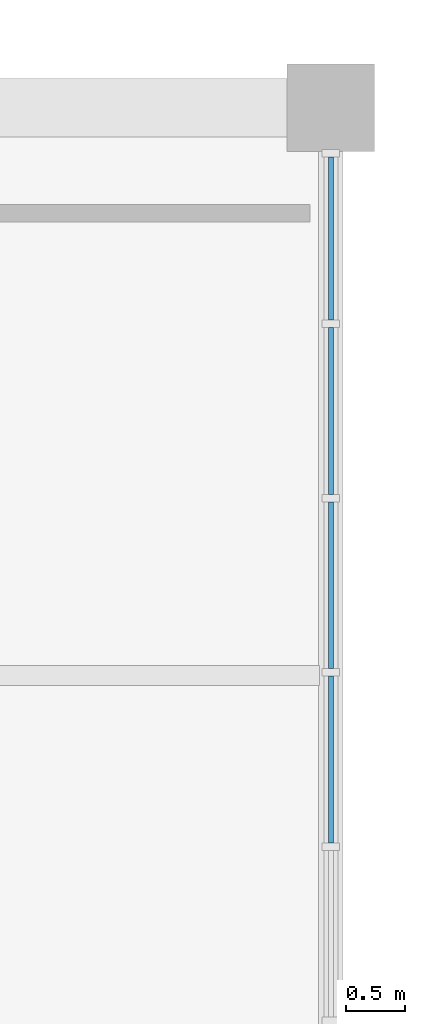
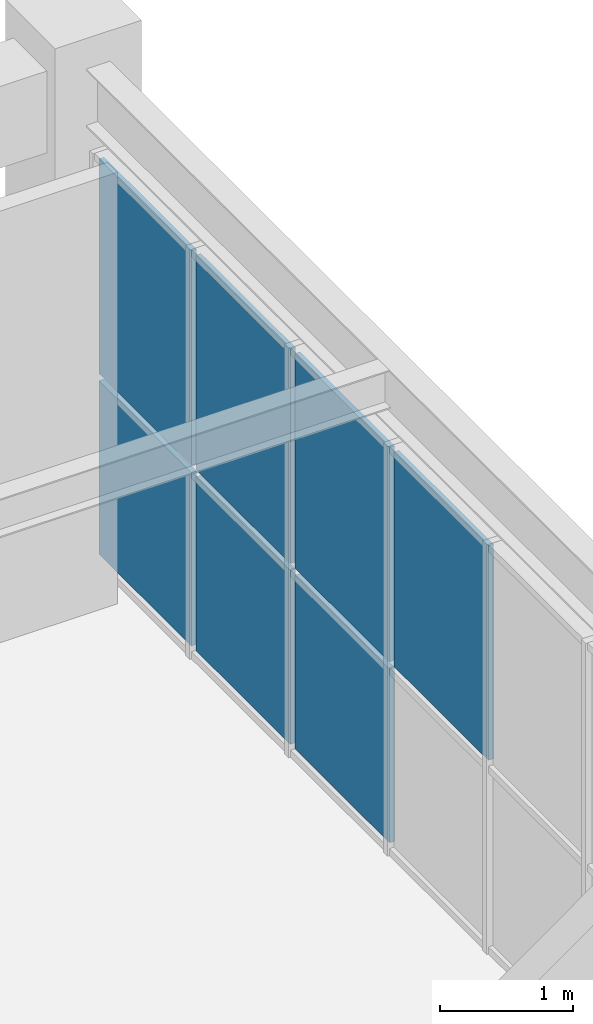
# One storey, part 75 of 112: 7 plates, 1 element without a shape of its own.
"""IFC4 building model written with IfcOpenShell, lengths in metres."""

from ifc_helpers import new_model, si_unit, direction, frame, origin, origin_2d, place, context, subcontext, project, spatial, rectangle, extrude, material, layer, layer_set, type_object, element, aggregate, save


model = new_model("IFC4")

# Units and contexts
model_context = context("Model", 3, precision=1e-05, world=origin(), true_north=direction((0.0, 1.0)))
body_context = subcontext(model_context, "Body", "Model", "MODEL_VIEW")
ifc_project = project(units=[si_unit("LENGTHUNIT", "METRE"), si_unit("AREAUNIT", "SQUARE_METRE"), si_unit("VOLUMEUNIT", "CUBIC_METRE"), si_unit("PLANEANGLEUNIT", "RADIAN"), si_unit("MASSUNIT", "GRAM", prefix="KILO")], contexts=[model_context])

# Site, building, storey
site_placement = place(None, origin())
site = spatial("IfcSite", under=ifc_project, at=site_placement, CompositionType="ELEMENT")
building_placement = place(site_placement, origin())
building = spatial("IfcBuilding", under=site, at=building_placement, Name="Cuetzalor Civic Arena", CompositionType="ELEMENT")
storey_placement = place(building_placement, frame((0.0, 0.0, 11.39990234375)))
storey = spatial("IfcBuildingStorey", under=building, at=storey_placement, Name="L02", CompositionType="ELEMENT", Elevation=11.39990234375)

# Curtain wall, plates
ifc_material_1 = material(Name="Anodised dark bronze aluminium and low-E solar glass", Category="aluminium")
curtain_wall_type = type_object("IfcCurtainWallType", Name="UnitisedCW_8950x3750", PredefinedType="USERDEFINED", material=ifc_material_1)
curtain_wall_placement = place(storey_placement, origin())
curtain_wall = element("IfcCurtainWall", 1, at=curtain_wall_placement, inside=storey, type_object=curtain_wall_type, Name="V4E Suite Viewing Curtain Wall L02-144", ObjectType="UNITISED CURTAIN WALL", PredefinedType="USERDEFINED")
ifc_material_2 = material(Name="Acoustic laminated solar control glass", Category="glass")
ifc_layer = layer(ifc_material_2, 0.0439453125)
ifc_layer_set = layer_set([ifc_layer], Name="Acoustic laminated solar control glass")
plate_type = type_object("IfcPlateType", Name="AcousticTripleGlazedPanel_44", PredefinedType="CURTAIN_PANEL", material=ifc_layer_set)
plate_1_placement = place(storey_placement, frame((82.0, 33.58203125, 0.06494140625), z_axis=(0.0, 0.0, 1.0), x_axis=(0.0, -1.0, 0.0)))
plate_1 = element("IfcPlate", 2, at=plate_1_placement, type_object=plate_type, Name="CW-43 panel 1.1", PredefinedType="CURTAIN_PANEL", context=body_context, shape_type="SweptSolid", body=[
    extrude(rectangle(XDim=1.391845703125, YDim=0.0439453125, at=origin_2d()), origin(), (0.0, 0.0, 1.0), 1.594482421875),
])
plate_2_placement = place(storey_placement, frame((82.0, 33.58203125, 1.724609375), z_axis=(0.0, 0.0, 1.0), x_axis=(0.0, -1.0, 0.0)))
plate_2 = element("IfcPlate", 3, at=plate_2_placement, type_object=plate_type, Name="CW-43 panel 1.2", PredefinedType="CURTAIN_PANEL", context=body_context, shape_type="SweptSolid", body=[
    extrude(rectangle(XDim=1.391845703125, YDim=0.0439453125, at=origin_2d()), origin(), (0.0, 0.0, 1.0), 1.970458984375),
])
plate_3_placement = place(storey_placement, frame((82.0, 32.10888671875, 0.06494140625), z_axis=(0.0, 0.0, 1.0), x_axis=(0.0, -1.0, 0.0)))
plate_3 = element("IfcPlate", 4, at=plate_3_placement, type_object=plate_type, Name="CW-43 panel 2.1", PredefinedType="CURTAIN_PANEL", context=body_context, shape_type="SweptSolid", body=[
    extrude(rectangle(XDim=1.42431640625, YDim=0.0439453125, at=origin_2d()), origin(), (0.0, 0.0, 1.0), 1.594482421875),
])
plate_4_placement = place(storey_placement, frame((82.0, 32.10888671875, 1.724609375), z_axis=(0.0, 0.0, 1.0), x_axis=(0.0, -1.0, 0.0)))
plate_4 = element("IfcPlate", 5, at=plate_4_placement, type_object=plate_type, Name="CW-43 panel 2.2", PredefinedType="CURTAIN_PANEL", context=body_context, shape_type="SweptSolid", body=[
    extrude(rectangle(XDim=1.42431640625, YDim=0.0439453125, at=origin_2d()), origin(), (0.0, 0.0, 1.0), 1.970458984375),
])
plate_5_placement = place(storey_placement, frame((82.0, 30.61962890625, 0.06494140625), z_axis=(0.0, 0.0, 1.0), x_axis=(0.0, -1.0, 0.0)))
plate_5 = element("IfcPlate", 6, at=plate_5_placement, type_object=plate_type, Name="CW-43 panel 3.1", PredefinedType="CURTAIN_PANEL", context=body_context, shape_type="SweptSolid", body=[
    extrude(rectangle(XDim=1.42431640625, YDim=0.0439453125, at=origin_2d()), origin(), (0.0, 0.0, 1.0), 1.594482421875),
])
plate_6_placement = place(storey_placement, frame((82.0, 30.61962890625, 1.724609375), z_axis=(0.0, 0.0, 1.0), x_axis=(0.0, -1.0, 0.0)))
plate_6 = element("IfcPlate", 7, at=plate_6_placement, type_object=plate_type, Name="CW-43 panel 3.2", PredefinedType="CURTAIN_PANEL", context=body_context, shape_type="SweptSolid", body=[
    extrude(rectangle(XDim=1.42431640625, YDim=0.0439453125, at=origin_2d()), origin(), (0.0, 0.0, 1.0), 1.970458984375),
])
plate_7_placement = place(storey_placement, frame((82.0, 29.13037109375, 1.724609375), z_axis=(0.0, 0.0, 1.0), x_axis=(0.0, -1.0, 0.0)))
plate_7 = element("IfcPlate", 8, at=plate_7_placement, type_object=plate_type, Name="CW-43 panel 4.2", PredefinedType="CURTAIN_PANEL", context=body_context, shape_type="SweptSolid", body=[
    extrude(rectangle(XDim=1.42431640625, YDim=0.0439453125, at=origin_2d()), origin(), (0.0, 0.0, 1.0), 1.970458984375),
])
aggregate(curtain_wall, [plate_1, plate_2, plate_3, plate_4, plate_5, plate_6, plate_7])

save(model, "model.ifc")
